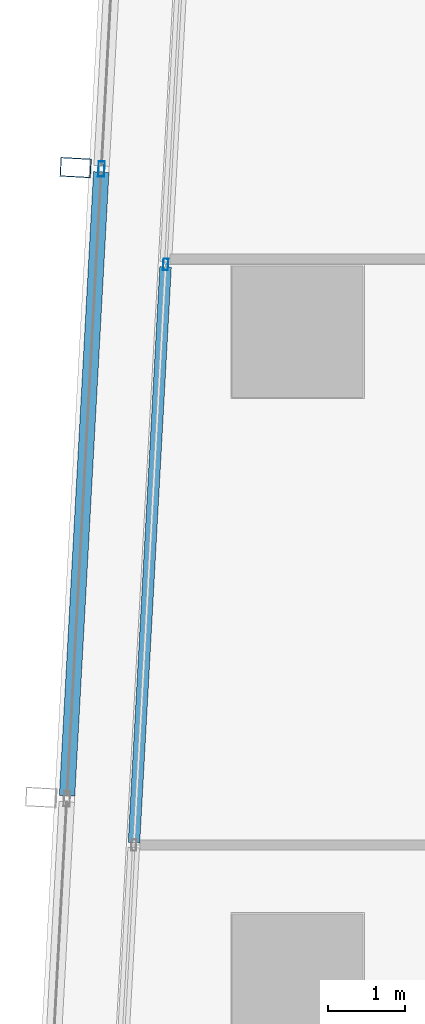
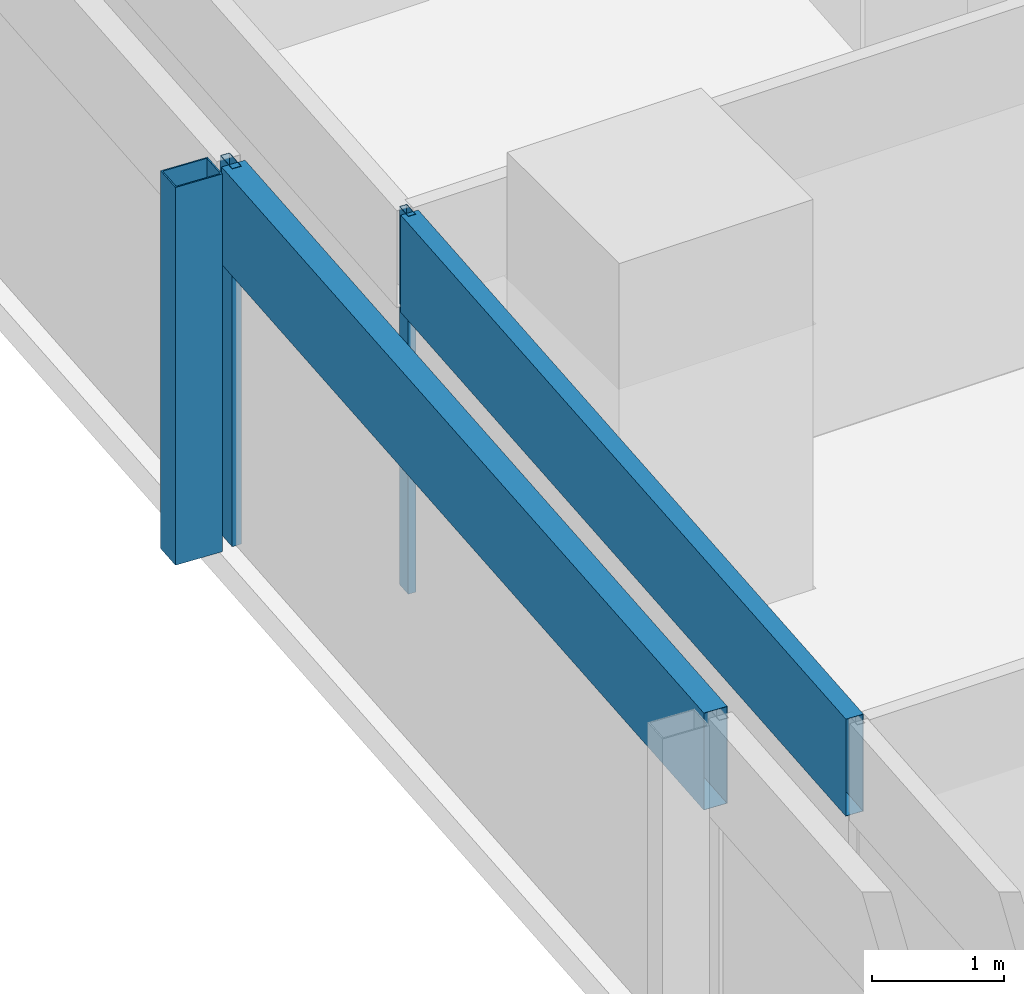
# One storey, part 8 of 40: 5 members, 2 elements without a shape of their own.
"""IFC4 building model written with IfcOpenShell, lengths in metres."""

from ifc_helpers import new_model, si_unit, direction, frame, origin, origin_2d, place, context, subcontext, project, spatial, hollow_rectangle, extrude, material, material_profile, profile_set, type_object, element, aggregate, save


model = new_model("IFC4")

# Units and contexts
model_context = context("Model", 3, precision=1e-05, world=origin(), true_north=direction((0.0, 1.0)))
body_context = subcontext(model_context, "Body", "Model", "MODEL_VIEW")
ifc_project = project(units=[si_unit("LENGTHUNIT", "METRE"), si_unit("AREAUNIT", "SQUARE_METRE"), si_unit("VOLUMEUNIT", "CUBIC_METRE"), si_unit("PLANEANGLEUNIT", "RADIAN"), si_unit("MASSUNIT", "GRAM", prefix="KILO")], contexts=[model_context])

# Site, building, storey
site_placement = place(None, origin())
site = spatial("IfcSite", under=ifc_project, at=site_placement, CompositionType="ELEMENT")
building_placement = place(site_placement, origin())
building = spatial("IfcBuilding", under=site, at=building_placement, Name="Rekha Terrace Tower", CompositionType="ELEMENT")
storey_placement = place(building_placement, frame((0.0, 0.0, 99.050048828125)))
storey = spatial("IfcBuildingStorey", under=building, at=storey_placement, Name="L24", CompositionType="ELEMENT", Elevation=99.050048828125)

# Curtain wall, member
ifc_material_1 = material(Name="Aluminium framing", Category="aluminium")
curtain_wall_type_1 = type_object("IfcCurtainWallType", Name="CW2 double skin outer glazing", PredefinedType="USERDEFINED", material=ifc_material_1)
curtain_wall_1_placement = place(storey_placement, origin())
curtain_wall_1 = element("IfcCurtainWall", 1, at=curtain_wall_1_placement, inside=storey, type_object=curtain_wall_type_1, Name="CW2 double skin outer glazing", ObjectType="DOUBLE SKIN OUTER GLAZING", PredefinedType="USERDEFINED")
ifc_material_2 = material(Name="Steel S355 with fluorocarbon finish", Category="steel")
ifc_material_profile_1 = material_profile(ifc_material_2, hollow_rectangle(XDim=0.25, YDim=0.39990234375, WallThickness=0.012451171875, at=origin_2d()), Name="RHS400x250x12.5")
ifc_profile_set_1 = profile_set([ifc_material_profile_1], Name="Steel S355 with fluorocarbon finish")
member_type_1 = type_object("IfcMemberType", Name="BL1 facade blade RHS 400 x 250", PredefinedType="USERDEFINED", material=ifc_profile_set_1)
member_1_placement = place(storey_placement, frame((5.521728515625, 44.128662109375, 0.0), z_axis=(0.0, 0.0, 1.0), x_axis=(-0.054742798353, -0.998500488747, 0.0)))
member_1 = element("IfcMember", 2, at=member_1_placement, type_object=member_type_1, Name="Facade blade", ObjectType="FACADE BLADE", PredefinedType="USERDEFINED", context=body_context, shape_type="SweptSolid", body=[
    extrude(hollow_rectangle(XDim=0.25, YDim=0.39990234375, WallThickness=0.012451171875, at=origin_2d()), origin(), (0.0, 0.0, 1.0), 3.5),
])

# Curtain wall, members
curtain_wall_type_2 = type_object("IfcCurtainWallType", Name="CW1 double skin inner glazing", PredefinedType="USERDEFINED", material=ifc_material_1)
curtain_wall_2_placement = place(storey_placement, origin())
curtain_wall_2 = element("IfcCurtainWall", 3, at=curtain_wall_2_placement, inside=storey, type_object=curtain_wall_type_2, Name="CW1 double skin inner glazing", ObjectType="DOUBLE SKIN INNER GLAZING", PredefinedType="USERDEFINED")
ifc_material_3 = material(Name="Aluminium mullion section", Category="aluminium")
ifc_material_profile_2 = material_profile(ifc_material_3, hollow_rectangle(XDim=0.06494140625, YDim=0.14990234375, WallThickness=0.00390625, at=origin_2d()), Name="AL RHS 65x150")
ifc_profile_set_2 = profile_set([ifc_material_profile_2], Name="Aluminium mullion section")
member_type_2 = type_object("IfcMemberType", Name="CW1 mullion RHS 65 x 150", PredefinedType="MULLION", material=ifc_profile_set_2)
member_2_placement = place(storey_placement, frame((6.689697265625, 42.87255859375, 0.0), z_axis=(0.0, 0.0, 1.0), x_axis=(0.99850051318, -0.054742352707, 0.0)))
member_2 = element("IfcMember", 4, at=member_2_placement, type_object=member_type_2, Name="CW1 mullion 3", PredefinedType="MULLION", context=body_context, shape_type="SweptSolid", body=[
    extrude(hollow_rectangle(XDim=0.06494140625, YDim=0.14990234375, WallThickness=0.00390625, at=origin_2d()), origin(), (0.0, 0.0, 1.0), 3.5),
])
ifc_material_4 = material(Name="Insulated aluminium spandrel box", Category="aluminium")
ifc_material_profile_3 = material_profile(ifc_material_4, hollow_rectangle(XDim=0.14990234375, YDim=0.89990234375, WallThickness=0.0029296875, at=origin_2d()), Name="AL SPANDREL BOX 150x900")
ifc_profile_set_3 = profile_set([ifc_material_profile_3], Name="Insulated aluminium spandrel box")
member_type_3 = type_object("IfcMemberType", Name="CW1 spandrel transom 150 x 900", PredefinedType="USERDEFINED", material=ifc_profile_set_3)
member_3_placement = place(storey_placement, frame((6.68798828125, 42.840087890625, 3.050048828125), z_axis=(-0.054766415299, -0.998499193668, 0.0), x_axis=(0.998499193668, -0.054766415299, 0.0)))
member_3 = element("IfcMember", 5, at=member_3_placement, type_object=member_type_3, Name="CW1 spandrel transom 3", ObjectType="TRANSOM", PredefinedType="USERDEFINED", context=body_context, shape_type="SweptSolid", body=[
    extrude(hollow_rectangle(XDim=0.14990234375, YDim=0.89990234375, WallThickness=0.0029296875, at=origin_2d()), origin(), (0.0, 0.0, 1.0), 7.475830078125),
])
aggregate(curtain_wall_2, [member_2, member_3])

# Member
ifc_material_profile_4 = material_profile(ifc_material_3, hollow_rectangle(XDim=0.080078125, YDim=0.199951171875, WallThickness=0.00390625, at=origin_2d()), Name="AL RHS 80x200")
ifc_profile_set_4 = profile_set([ifc_material_profile_4], Name="Aluminium mullion section")
member_type_4 = type_object("IfcMemberType", Name="CW2 mullion RHS 80 x 200", PredefinedType="MULLION", material=ifc_profile_set_4)
member_4_placement = place(storey_placement, frame((5.856201171875, 44.1103515625, 0.0), z_axis=(0.0, 0.0, 1.0), x_axis=(0.99850051318, -0.054742352707, 0.0)))
member_4 = element("IfcMember", 6, at=member_4_placement, type_object=member_type_4, Name="CW2 mullion 3", PredefinedType="MULLION", context=body_context, shape_type="SweptSolid", body=[
    extrude(hollow_rectangle(XDim=0.080078125, YDim=0.199951171875, WallThickness=0.00390625, at=origin_2d()), origin(), (0.0, 0.0, 1.0), 3.5),
])

ifc_material_profile_5 = material_profile(ifc_material_4, hollow_rectangle(XDim=0.199951171875, YDim=0.89990234375, WallThickness=0.0029296875, at=origin_2d()), Name="AL SPANDREL BOX 200x900")
ifc_profile_set_5 = profile_set([ifc_material_profile_5], Name="Insulated aluminium spandrel box")
member_type_5 = type_object("IfcMemberType", Name="CW2 spandrel transom 200 x 900", PredefinedType="USERDEFINED", material=ifc_profile_set_5)
member_5_placement = place(storey_placement, frame((5.85400390625, 44.070556640625, 3.050048828125), z_axis=(-0.054735499102, -0.998500888902, 0.0), x_axis=(0.998500888902, -0.054735499102, 0.0)))
member_5 = element("IfcMember", 7, at=member_5_placement, type_object=member_type_5, Name="CW2 spandrel transom 3", ObjectType="TRANSOM", PredefinedType="USERDEFINED", context=body_context, shape_type="SweptSolid", body=[
    extrude(hollow_rectangle(XDim=0.199951171875, YDim=0.89990234375, WallThickness=0.0029296875, at=origin_2d()), origin(), (0.0, 0.0, 1.0), 8.10009765625),
])

aggregate(curtain_wall_1, [member_4, member_5, member_1])

save(model, "model.ifc")
